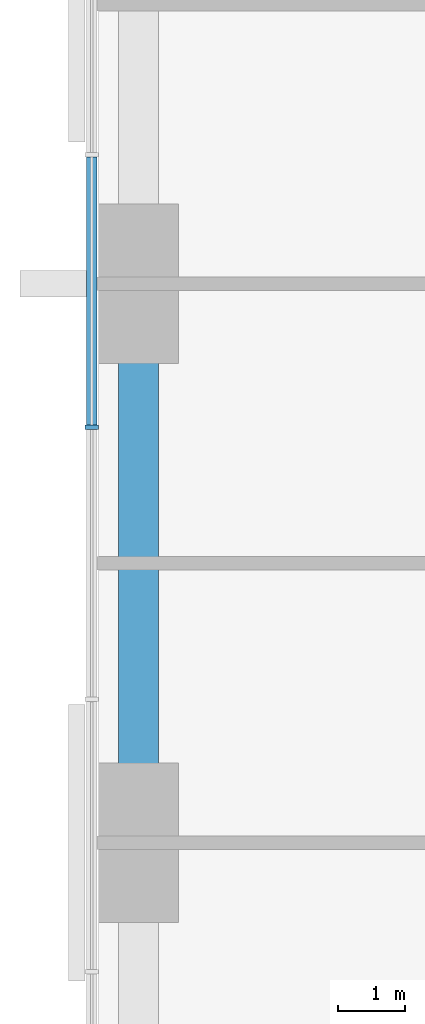
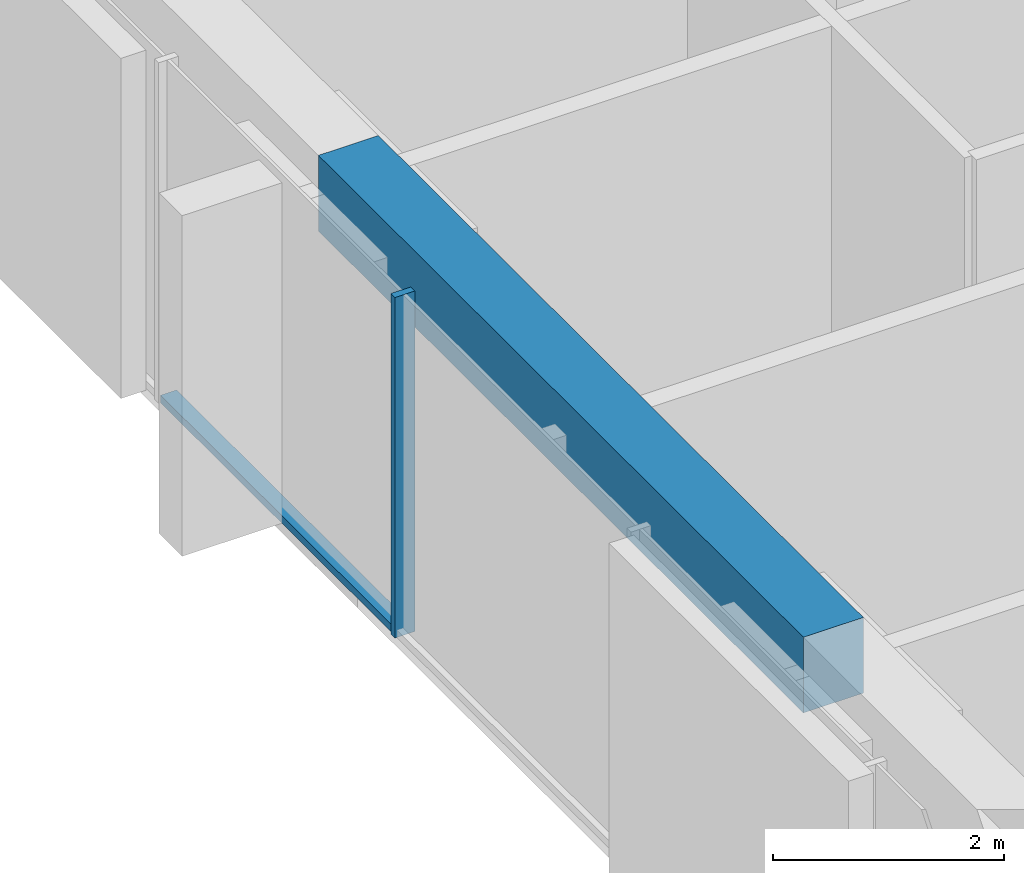
# One storey, part 3 of 13: 2 members, 1 beam, 1 element without a shape of its own.
"""IFC4 building model written with IfcOpenShell, lengths in metres."""

from ifc_helpers import new_model, si_unit, direction, frame, origin, origin_2d, place, context, subcontext, project, spatial, rectangle, extrude, material, material_profile, profile_set, type_object, element, aggregate, save


model = new_model("IFC4")

# Units and contexts
model_context = context("Model", 3, precision=1e-05, world=origin(), true_north=direction((0.0, 1.0)))
body_context = subcontext(model_context, "Body", "Model", "MODEL_VIEW")
ifc_project = project(units=[si_unit("LENGTHUNIT", "METRE"), si_unit("AREAUNIT", "SQUARE_METRE"), si_unit("VOLUMEUNIT", "CUBIC_METRE"), si_unit("PLANEANGLEUNIT", "RADIAN"), si_unit("MASSUNIT", "GRAM", prefix="KILO")], contexts=[model_context])

# Site, building, storey
site_placement = place(None, origin())
site = spatial("IfcSite", under=ifc_project, at=site_placement, CompositionType="ELEMENT")
building_placement = place(site_placement, origin())
building = spatial("IfcBuilding", under=site, at=building_placement, Name="Dunama Terrace Hotel", CompositionType="ELEMENT")
storey_placement = place(building_placement, frame((0.0, 0.0, 173.39990234375)))
storey = spatial("IfcBuildingStorey", under=building, at=storey_placement, Name="L44", CompositionType="ELEMENT", Elevation=173.39990234375)

# Curtain wall, members
ifc_material_1 = material(Name="Aluminium curtain wall system", Category="aluminium")
curtain_wall_type = type_object("IfcCurtainWallType", Name="Unitised fritted glass wall CW-C", PredefinedType="NOTDEFINED", material=ifc_material_1)
curtain_wall_placement = place(storey_placement, origin())
curtain_wall = element("IfcCurtainWall", 1, at=curtain_wall_placement, inside=storey, type_object=curtain_wall_type, Name="Unitised fritted glass wall CW-C L44", PredefinedType="NOTDEFINED")
ifc_material_2 = material(Name="Aluminium mullion", Category="aluminium")
ifc_material_profile_1 = material_profile(ifc_material_2, rectangle(XDim=0.070068359375, YDim=0.199951171875, at=origin_2d()), Name="CWC MULLION 70X200")
ifc_profile_set_1 = profile_set([ifc_material_profile_1], Name="Aluminium mullion")
member_type_1 = type_object("IfcMemberType", Name="CWC mullion 70x200", PredefinedType="MULLION", material=ifc_profile_set_1)
member_1_placement = place(storey_placement, frame((4.10009765625, 31.445068359375, 0.0), z_axis=(0.0, 0.0, 1.0), x_axis=(0.0, -1.0, 0.0)))
member_1 = element("IfcMember", 2, at=member_1_placement, type_object=member_type_1, Name="CWC mullion", PredefinedType="MULLION", context=body_context, shape_type="SweptSolid", body=[
    extrude(rectangle(XDim=0.070068359375, YDim=0.199951171875, at=origin_2d()), origin(), (0.0, 0.0, 1.0), 3.60009765625),
])
ifc_material_3 = material(Name="Aluminium transom", Category="aluminium")
ifc_material_profile_2 = material_profile(ifc_material_3, rectangle(XDim=0.159912109375, YDim=0.080078125, at=origin_2d()), Name="CWC TRANSOM 160X80")
ifc_profile_set_2 = profile_set([ifc_material_profile_2], Name="Aluminium transom")
member_type_2 = type_object("IfcMemberType", Name="CWC transom 160x80", PredefinedType="USERDEFINED", material=ifc_profile_set_2)
member_2_placement = place(storey_placement, frame((4.10009765625, 35.5009765625, 0.0400390625), z_axis=(0.0, -1.0, 0.0), x_axis=(1.0, 0.0, 0.0)))
member_2 = element("IfcMember", 3, at=member_2_placement, type_object=member_type_2, Name="CWC transom", ObjectType="TRANSOM", PredefinedType="USERDEFINED", context=body_context, shape_type="SweptSolid", body=[
    extrude(rectangle(XDim=0.159912109375, YDim=0.080078125, at=origin_2d()), origin(), (0.0, 0.0, 1.0), 4.02099609375),
])
aggregate(curtain_wall, [member_1, member_2])

# Beam
ifc_material_4 = material(Name="Concrete C40/50", Category="concrete")
ifc_material_profile_3 = material_profile(ifc_material_4, rectangle(XDim=0.60009765625, YDim=0.800048828125, at=origin_2d()), Name="RC 600x800")
ifc_profile_set_3 = profile_set([ifc_material_profile_3], Name="Concrete C40/50")
beam_type = type_object("IfcBeamType", Name="Edge beam RC 600x800", PredefinedType="SPANDREL", material=ifc_profile_set_3)
beam_placement = place(storey_placement, frame((4.800048828125, 25.199951171875, 3.2001953125), z_axis=(0.0, 1.0, 0.0), x_axis=(-1.0, 0.0, 0.0)))
element("IfcBeam", 4, at=beam_placement, inside=storey, type_object=beam_type, Name="Edge beam under L45", PredefinedType="SPANDREL", context=body_context, shape_type="SweptSolid", body=[
    extrude(rectangle(XDim=0.60009765625, YDim=0.800048828125, at=origin_2d()), origin(), (0.0, 0.0, 1.0), 8.400146484375),
])

save(model, "model.ifc")
